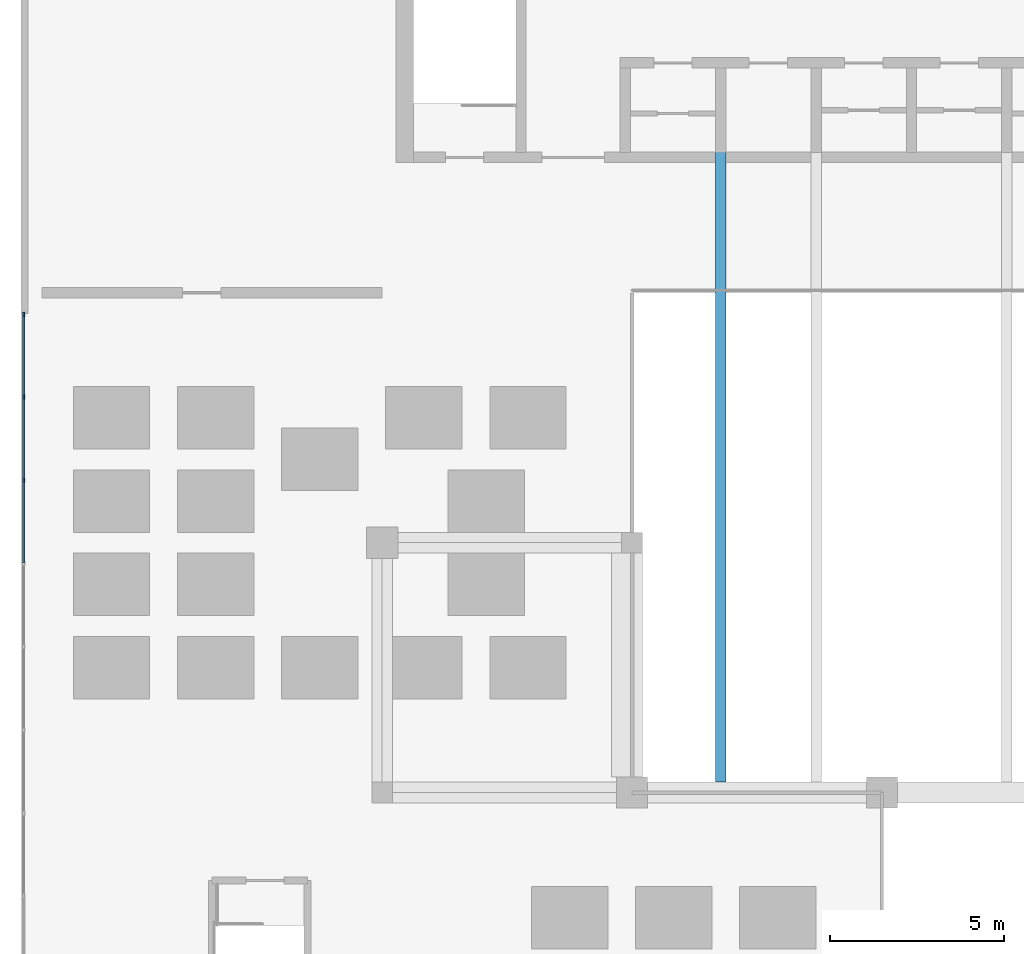
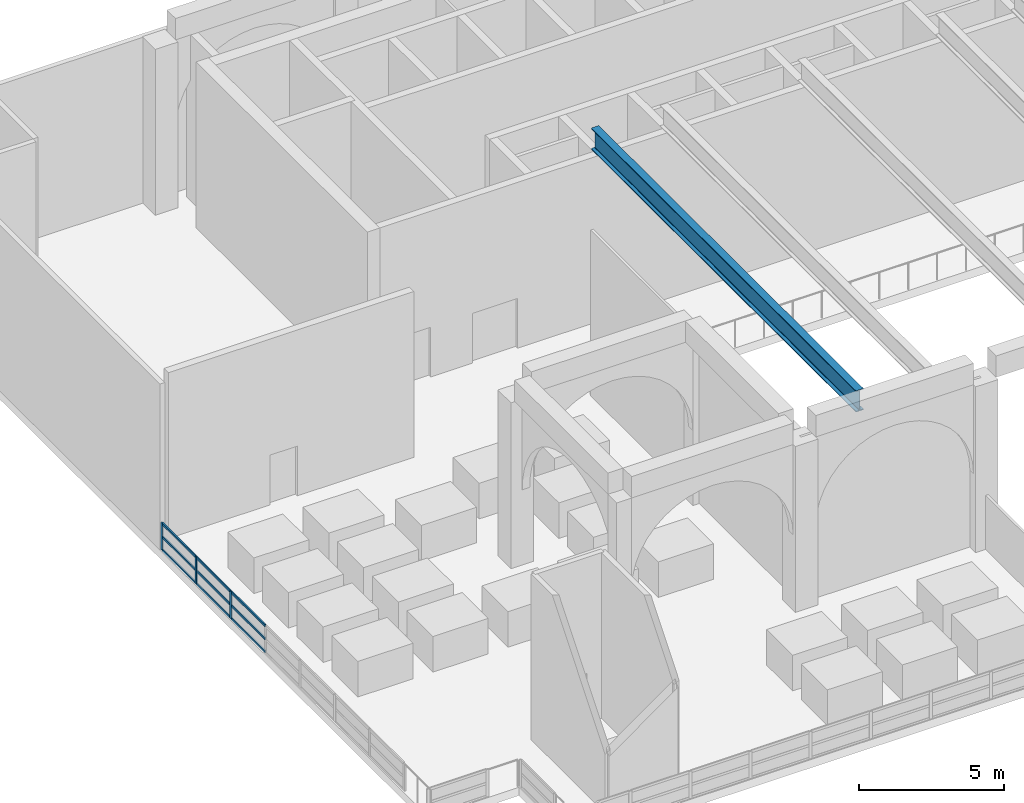
# One storey, part 4 of 17: 12 members, 1 beam, 1 element without a shape of its own.
"""IFC4 building model written with IfcOpenShell, lengths in metres."""

from ifc_helpers import new_model, si_unit, direction, frame, origin, origin_2d, place, context, subcontext, project, spatial, rectangle, i_section, extrude, source, transform, mapped, material, layer, layer_set, material_profile, profile_set, type_object, element, aggregate, save


model = new_model("IFC4")

# Units and contexts
model_context = context("Model", 3, precision=1e-05, world=origin(), true_north=direction((0.0, 1.0)))
body_context = subcontext(model_context, "Body", "Model", "MODEL_VIEW")
ifc_project = project(units=[si_unit("LENGTHUNIT", "METRE"), si_unit("AREAUNIT", "SQUARE_METRE"), si_unit("VOLUMEUNIT", "CUBIC_METRE"), si_unit("PLANEANGLEUNIT", "RADIAN"), si_unit("MASSUNIT", "GRAM", prefix="KILO")], contexts=[model_context])

# Site, building, storey
site_placement = place(None, origin())
site = spatial("IfcSite", under=ifc_project, at=site_placement, CompositionType="ELEMENT")
building_placement = place(site_placement, origin())
building = spatial("IfcBuilding", under=site, at=building_placement, Name="Saffron Iwan Residences", CompositionType="ELEMENT")
storey_placement = place(building_placement, frame((0.0, 0.0, 274.5)))
storey = spatial("IfcBuildingStorey", under=building, at=storey_placement, Name="L74", CompositionType="ELEMENT", Elevation=274.5)

# Beam
ifc_material_1 = material(Name="Steel S355", Category="steel")
ifc_material_profile_1 = material_profile(ifc_material_1, i_section(OverallWidth=0.300048828125, OverallDepth=0.89990234375, WebThickness=0.0185546875, FlangeThickness=0.034912109375, FilletRadius=0.030029296875, at=origin_2d()), Name="HE 900 B")
ifc_profile_set_1 = profile_set([ifc_material_profile_1], Name="Steel S355")
beam_type = type_object("IfcBeamType", Name="ROOFLIGHT GIRDER HE 900 B S355", PredefinedType="BEAM", material=ifc_profile_set_1)
shared_shape_1 = source(origin(), body_context, "Body", "SweptSolid", [
    extrude(i_section(OverallWidth=0.300048828125, OverallDepth=0.89990234375, WebThickness=0.0185546875, FlangeThickness=0.034912109375, FilletRadius=0.030029296875, at=origin_2d()), origin(), (0.0, 0.0, 1.0), 18.300048828125),
])
beam_placement = place(storey_placement, frame((38.550048828125, 48.300048828125, 7.449951171875), z_axis=(0.0, 1.0, 0.0), x_axis=(-1.0, 0.0, 0.0)))
element("IfcBeam", 1, at=beam_placement, inside=storey, type_object=beam_type, Name="Rooflight girder", PredefinedType="BEAM", context=body_context, shape_type="MappedRepresentation", body=[
    mapped(shared_shape_1, transform((0.0, 0.0, 0.0))),
])

# Curtain wall, members
ifc_material_2 = material(Name="Clear glass, laminated double glazed", Category="glass")
ifc_layer = layer(ifc_material_2, 0.10009765625)
ifc_layer_set = layer_set([ifc_layer], Name="Clear glass, laminated double glazed")
curtain_wall_type = type_object("IfcCurtainWallType", Name="CW-F ROOF TERRACE GLAZED GUARD", PredefinedType="NOTDEFINED", material=ifc_layer_set)
curtain_wall_placement = place(storey_placement, origin())
curtain_wall = element("IfcCurtainWall", 2, at=curtain_wall_placement, inside=storey, type_object=curtain_wall_type, Name="Glazed terrace guard F8.6", PredefinedType="NOTDEFINED")
ifc_material_3 = material(Name="Aluminium 6063-T6", Category="aluminium")
ifc_material_profile_2 = material_profile(ifc_material_3, rectangle(XDim=0.050048828125, YDim=0.1201171875, at=origin_2d()), Name="CW-F MULLION 50 x 120")
ifc_profile_set_2 = profile_set([ifc_material_profile_2], Name="Aluminium 6063-T6")
member_type_1 = type_object("IfcMemberType", Name="CW-F MULLION 50 x 120", PredefinedType="MULLION", material=ifc_profile_set_2)
shared_shape_2 = source(origin(), body_context, "Body", "SweptSolid", [
    extrude(rectangle(XDim=0.050048828125, YDim=0.1201171875, at=origin_2d()), origin(), (0.0, 0.0, 1.0), 1.14990234375),
])
member_1_placement = place(storey_placement, frame((18.47509765625, 61.77490234375, 0.0), z_axis=(0.0, 0.0, 1.0), x_axis=(1.0, 0.0, 0.0)))
member_1 = element("IfcMember", 3, at=member_1_placement, type_object=member_type_1, Name="CW-F mullion 1", PredefinedType="MULLION", context=body_context, shape_type="MappedRepresentation", body=[
    mapped(shared_shape_2, transform((0.0, 0.0, 0.0))),
])
member_2_placement = place(storey_placement, frame((18.47509765625, 59.39990234375, 0.0), z_axis=(0.0, 0.0, 1.0), x_axis=(1.0, 0.0, 0.0)))
member_2 = element("IfcMember", 4, at=member_2_placement, type_object=member_type_1, Name="CW-F mullion 2", PredefinedType="MULLION", context=body_context, shape_type="MappedRepresentation", body=[
    mapped(shared_shape_2, transform((0.0, 0.0, 0.0))),
])
member_3_placement = place(storey_placement, frame((18.47509765625, 57.0, 0.0), z_axis=(0.0, 0.0, 1.0), x_axis=(1.0, 0.0, 0.0)))
member_3 = element("IfcMember", 5, at=member_3_placement, type_object=member_type_1, Name="CW-F mullion 3", PredefinedType="MULLION", context=body_context, shape_type="MappedRepresentation", body=[
    mapped(shared_shape_2, transform((0.0, 0.0, 0.0))),
])
ifc_material_profile_3 = material_profile(ifc_material_3, rectangle(XDim=0.050048828125, YDim=0.10009765625, at=origin_2d()), Name="CW-F TRANSOM 50 x 100")
ifc_profile_set_3 = profile_set([ifc_material_profile_3], Name="Aluminium 6063-T6")
member_type_2 = type_object("IfcMemberType", Name="CW-F TRANSOM 50 x 100", PredefinedType="USERDEFINED", material=ifc_profile_set_3)
shared_shape_3 = source(origin(), body_context, "Body", "SweptSolid", [
    extrude(rectangle(XDim=0.050048828125, YDim=0.10009765625, at=origin_2d()), origin(), (0.0, 0.0, 1.0), 2.324951171875),
])
member_4_placement = place(storey_placement, frame((18.47509765625, 61.75, 0.02490234375), z_axis=(0.0, -1.0, 0.0), x_axis=(1.0, 0.0, 0.0)))
member_4 = element("IfcMember", 6, at=member_4_placement, type_object=member_type_2, Name="CW-F transom 1.1", ObjectType="TRANSOM", PredefinedType="USERDEFINED", context=body_context, shape_type="MappedRepresentation", body=[
    mapped(shared_shape_3, transform((0.0, 0.0, 0.0))),
])
member_5_placement = place(storey_placement, frame((18.47509765625, 61.75, 0.574951171875), z_axis=(0.0, -1.0, 0.0), x_axis=(1.0, 0.0, 0.0)))
member_5 = element("IfcMember", 7, at=member_5_placement, type_object=member_type_2, Name="CW-F transom 1.2", ObjectType="TRANSOM", PredefinedType="USERDEFINED", context=body_context, shape_type="MappedRepresentation", body=[
    mapped(shared_shape_3, transform((0.0, 0.0, 0.0))),
])
member_6_placement = place(storey_placement, frame((18.47509765625, 61.75, 1.125), z_axis=(0.0, -1.0, 0.0), x_axis=(1.0, 0.0, 0.0)))
member_6 = element("IfcMember", 8, at=member_6_placement, type_object=member_type_2, Name="CW-F transom 1.3", ObjectType="TRANSOM", PredefinedType="USERDEFINED", context=body_context, shape_type="MappedRepresentation", body=[
    mapped(shared_shape_3, transform((0.0, 0.0, 0.0))),
])
shared_shape_4 = source(origin(), body_context, "Body", "SweptSolid", [
    extrude(rectangle(XDim=0.050048828125, YDim=0.10009765625, at=origin_2d()), origin(), (0.0, 0.0, 1.0), 2.35009765625),
])
member_7_placement = place(storey_placement, frame((18.47509765625, 59.375, 0.02490234375), z_axis=(0.0, -1.0, 0.0), x_axis=(1.0, 0.0, 0.0)))
member_7 = element("IfcMember", 9, at=member_7_placement, type_object=member_type_2, Name="CW-F transom 2.1", ObjectType="TRANSOM", PredefinedType="USERDEFINED", context=body_context, shape_type="MappedRepresentation", body=[
    mapped(shared_shape_4, transform((0.0, 0.0, 0.0))),
])
member_8_placement = place(storey_placement, frame((18.47509765625, 59.375, 0.574951171875), z_axis=(0.0, -1.0, 0.0), x_axis=(1.0, 0.0, 0.0)))
member_8 = element("IfcMember", 10, at=member_8_placement, type_object=member_type_2, Name="CW-F transom 2.2", ObjectType="TRANSOM", PredefinedType="USERDEFINED", context=body_context, shape_type="MappedRepresentation", body=[
    mapped(shared_shape_4, transform((0.0, 0.0, 0.0))),
])
member_9_placement = place(storey_placement, frame((18.47509765625, 59.375, 1.125), z_axis=(0.0, -1.0, 0.0), x_axis=(1.0, 0.0, 0.0)))
member_9 = element("IfcMember", 11, at=member_9_placement, type_object=member_type_2, Name="CW-F transom 2.3", ObjectType="TRANSOM", PredefinedType="USERDEFINED", context=body_context, shape_type="MappedRepresentation", body=[
    mapped(shared_shape_4, transform((0.0, 0.0, 0.0))),
])
member_10_placement = place(storey_placement, frame((18.47509765625, 56.97509765625, 0.02490234375), z_axis=(0.0, -1.0, 0.0), x_axis=(1.0, 0.0, 0.0)))
member_10 = element("IfcMember", 12, at=member_10_placement, type_object=member_type_2, Name="CW-F transom 3.1", ObjectType="TRANSOM", PredefinedType="USERDEFINED", context=body_context, shape_type="MappedRepresentation", body=[
    mapped(shared_shape_4, transform((0.0, 0.0, 0.0))),
])
member_11_placement = place(storey_placement, frame((18.47509765625, 56.97509765625, 0.574951171875), z_axis=(0.0, -1.0, 0.0), x_axis=(1.0, 0.0, 0.0)))
member_11 = element("IfcMember", 13, at=member_11_placement, type_object=member_type_2, Name="CW-F transom 3.2", ObjectType="TRANSOM", PredefinedType="USERDEFINED", context=body_context, shape_type="MappedRepresentation", body=[
    mapped(shared_shape_4, transform((0.0, 0.0, 0.0))),
])
member_12_placement = place(storey_placement, frame((18.47509765625, 56.97509765625, 1.125), z_axis=(0.0, -1.0, 0.0), x_axis=(1.0, 0.0, 0.0)))
member_12 = element("IfcMember", 14, at=member_12_placement, type_object=member_type_2, Name="CW-F transom 3.3", ObjectType="TRANSOM", PredefinedType="USERDEFINED", context=body_context, shape_type="MappedRepresentation", body=[
    mapped(shared_shape_4, transform((0.0, 0.0, 0.0))),
])
aggregate(curtain_wall, [member_1, member_2, member_3, member_4, member_5, member_6, member_7, member_8, member_9, member_10, member_11, member_12])

save(model, "model.ifc")
